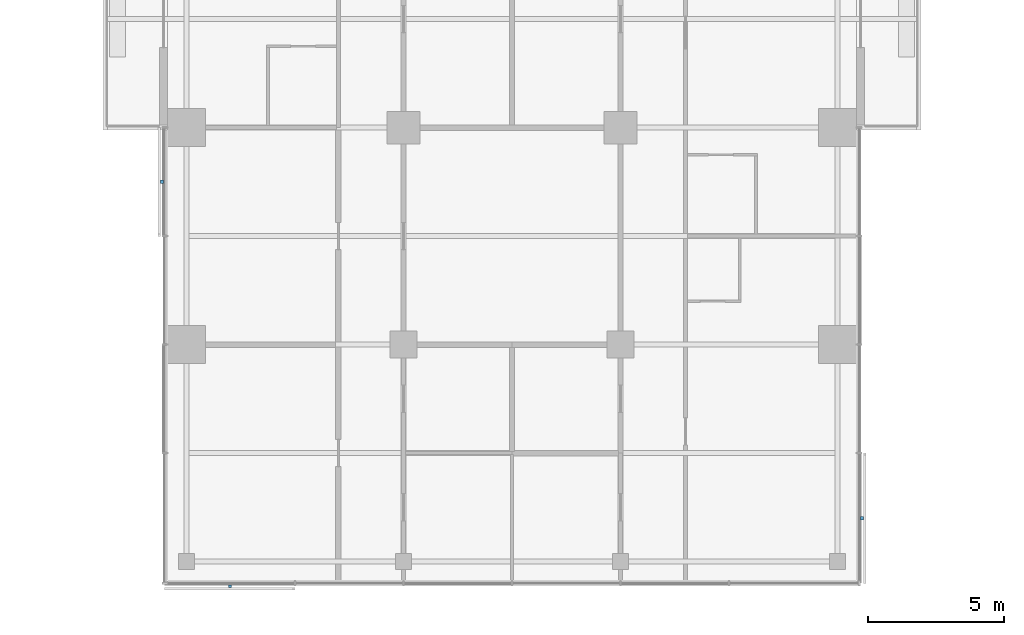
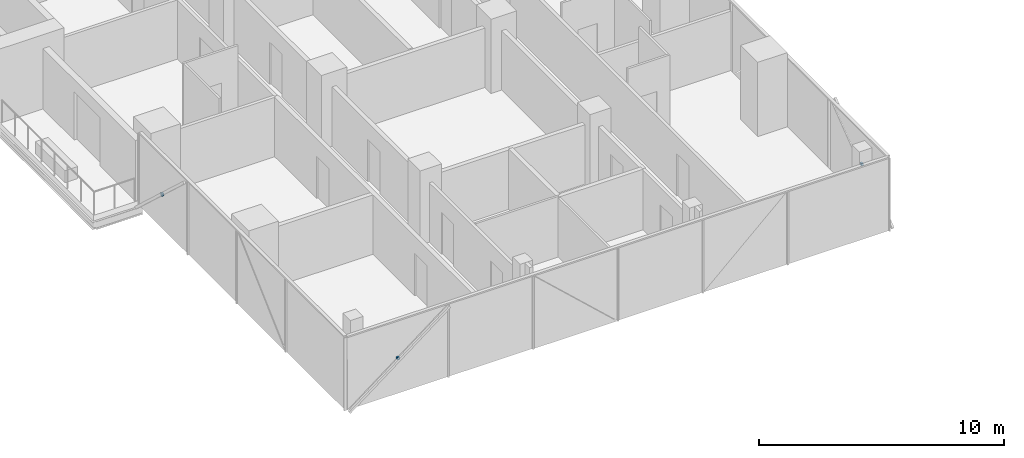
# One storey, part 23 of 27: 3 discrete accessories.
"""IFC4 building model written with IfcOpenShell, lengths in metres."""

from ifc_helpers import new_model, si_unit, direction, frame, origin, origin_2d, place, context, subcontext, project, spatial, rectangle, extrude, material, type_object, element, save


model = new_model("IFC4")

# Units and contexts
model_context = context("Model", 3, precision=1e-05, world=origin(), true_north=direction((0.0, 1.0)))
body_context = subcontext(model_context, "Body", "Model", "MODEL_VIEW")
ifc_project = project(units=[si_unit("LENGTHUNIT", "METRE"), si_unit("AREAUNIT", "SQUARE_METRE"), si_unit("VOLUMEUNIT", "CUBIC_METRE"), si_unit("PLANEANGLEUNIT", "RADIAN"), si_unit("MASSUNIT", "GRAM", prefix="KILO")], contexts=[model_context])

# Site, building, storey
site_placement = place(None, origin())
site = spatial("IfcSite", under=ifc_project, at=site_placement, CompositionType="ELEMENT")
building_placement = place(site_placement, origin())
building = spatial("IfcBuilding", under=site, at=building_placement, Name="Crosswind Convention Tower", CompositionType="ELEMENT")
storey_placement = place(building_placement, frame((0.0, 0.0, 90.5)))
storey = spatial("IfcBuildingStorey", under=building, at=storey_placement, Name="L17", CompositionType="ELEMENT", Elevation=90.5)

# Discrete accessories
ifc_material = material(Name="Stainless steel", Category="steel")
discrete_accessory_type = type_object("IfcDiscreteAccessoryType", Name="BAGUETTE BRACKET BK2", PredefinedType="BRACKET", material=ifc_material)
for number, where, z_axis, x_axis, name in (
    (1, (112.092041015625, 78.0, 1.4775390625), (0.0, 0.0, 1.0), (0.0, -1.0, 0.0), "BK2 baguette bracket"),
    (2, (114.60009765625, 63.092041015625, 1.4775390625), (0.0, 0.0, 1.0), (1.0, 0.0, 0.0), "BK2 baguette bracket"),
    (3, (137.907958984375, 65.60009765625, 1.4775390625), (0.0, 0.0, 1.0), (0.0, 1.0, 0.0), "BK2 baguette bracket"),
):
    element("IfcDiscreteAccessory", number, at=place(storey_placement, frame(where, z_axis=z_axis, x_axis=x_axis)), inside=storey, type_object=discrete_accessory_type, Name=name, PredefinedType="BRACKET", context=body_context, shape_type="SweptSolid", body=[
        extrude(rectangle(XDim=0.1201171875, YDim=0.10009765625, at=origin_2d()), origin(), (0.0, 0.0, 1.0), 0.1201171875),
    ])

save(model, "model.ifc")
